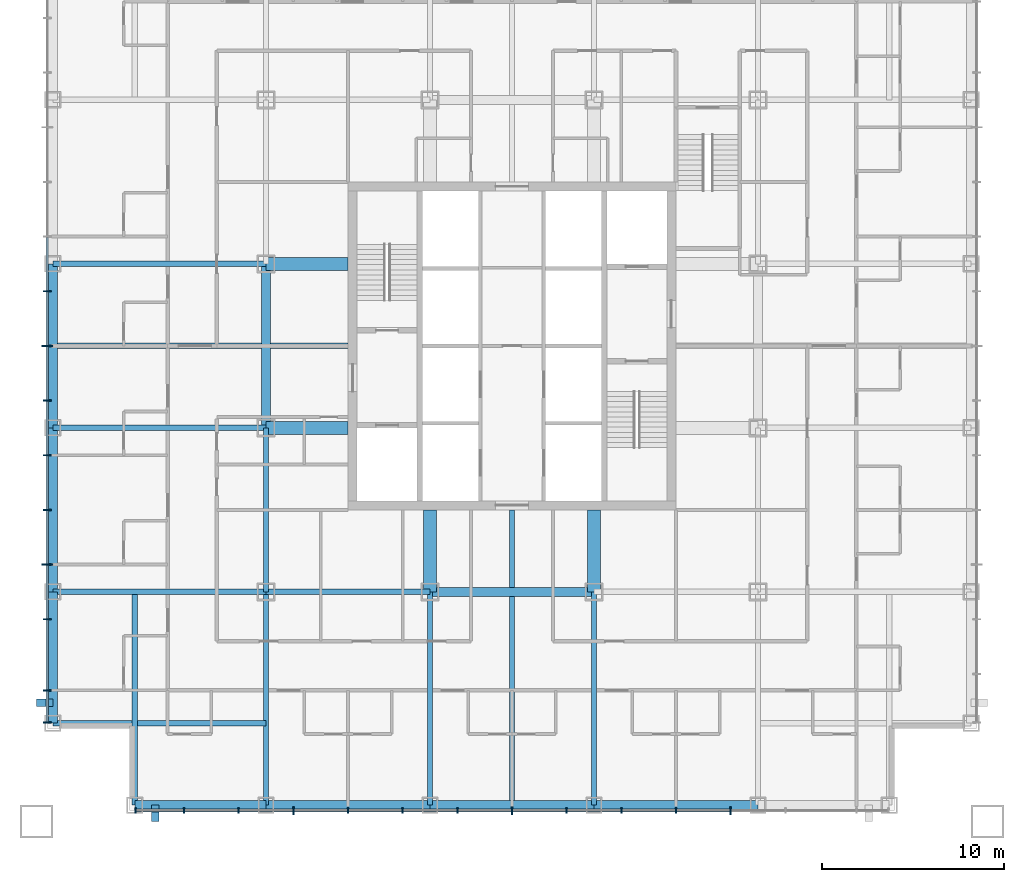
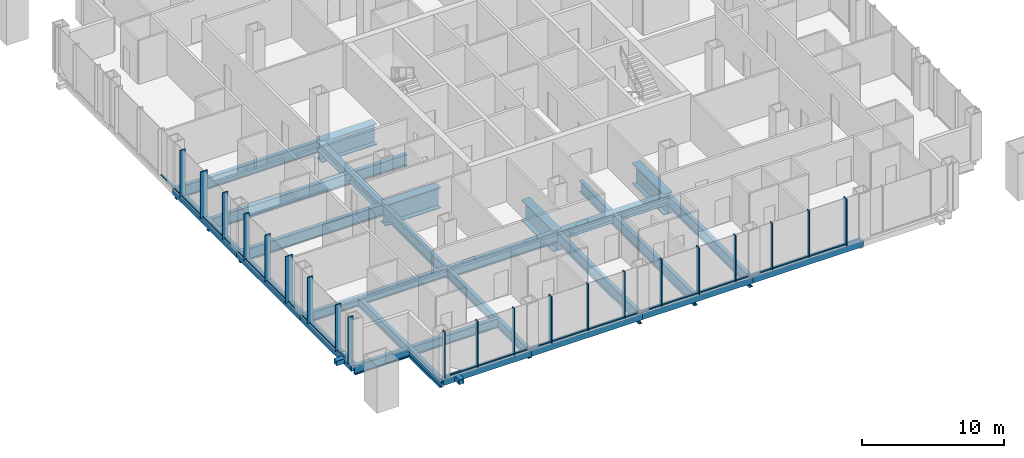
# One storey, part 2 of 12: 43 members, 25 beams, 2 elements without a shape of their own.
"""IFC4 building model written with IfcOpenShell, lengths in metres."""

from ifc_helpers import new_model, si_unit, direction, frame, origin, origin_2d, place, context, subcontext, project, spatial, rectangle, hollow_rectangle, i_section, extrude, material, layer, layer_set, material_profile, profile_set, type_object, element, aggregate, save


model = new_model("IFC4")

# Units and contexts
model_context = context("Model", 3, precision=1e-05, world=origin(), true_north=direction((0.0, 1.0)))
body_context = subcontext(model_context, "Body", "Model", "MODEL_VIEW")
ifc_project = project(units=[si_unit("LENGTHUNIT", "METRE"), si_unit("AREAUNIT", "SQUARE_METRE"), si_unit("VOLUMEUNIT", "CUBIC_METRE"), si_unit("PLANEANGLEUNIT", "RADIAN"), si_unit("MASSUNIT", "GRAM", prefix="KILO")], contexts=[model_context])

# Site, building, storey
site_placement = place(None, origin())
site = spatial("IfcSite", under=ifc_project, at=site_placement, CompositionType="ELEMENT")
building_placement = place(site_placement, origin())
building = spatial("IfcBuilding", under=site, at=building_placement, Name="Malebo Sky Hospital", CompositionType="ELEMENT")
storey_placement = place(building_placement, frame((0.0, 0.0, 59.0)))
storey = spatial("IfcBuildingStorey", under=building, at=storey_placement, Name="L13", CompositionType="ELEMENT", Elevation=59.0)

# Curtain wall, members
ifc_material_1 = material(Name="Anodised aluminium, natural silver", Category="aluminium")
ifc_layer_1 = layer(ifc_material_1, 0.25)
ifc_layer_set_1 = layer_set([ifc_layer_1], Name="WARD CURTAIN WALL EAST AND WEST")
curtain_wall_type_1 = type_object("IfcCurtainWallType", Name="WARD CURTAIN WALL EAST AND WEST", PredefinedType="NOTDEFINED", material=ifc_layer_set_1)
curtain_wall_1_placement = place(storey_placement, origin())
curtain_wall_1 = element("IfcCurtainWall", 1, at=curtain_wall_1_placement, inside=storey, type_object=curtain_wall_type_1, Name="EW curtain wall W", PredefinedType="NOTDEFINED")
ifc_material_profile_1 = material_profile(ifc_material_1, rectangle(XDim=0.14990234375, YDim=0.10009765625, at=origin_2d()), Name="ALUMINIUM TRANSOM 150x100")
ifc_profile_set_1 = profile_set([ifc_material_profile_1], Name="Anodised aluminium, natural silver")
member_type_1 = type_object("IfcMemberType", Name="ALUMINIUM TRANSOM 150x100", PredefinedType="USERDEFINED", material=ifc_profile_set_1)
member_1_placement = place(storey_placement, frame((34.5, 41.375, 0.050048828125), z_axis=(0.0, 1.0, 0.0), x_axis=(-1.0, 0.0, 0.0)))
member_1 = element("IfcMember", 2, at=member_1_placement, type_object=member_type_1, Name="Transom 1", ObjectType="TRANSOM", PredefinedType="USERDEFINED", context=body_context, shape_type="SweptSolid", body=[
    extrude(rectangle(XDim=0.14990234375, YDim=0.10009765625, at=origin_2d()), origin(), (0.0, 0.0, 1.0), 1.6875),
])
member_2_placement = place(storey_placement, frame((34.5, 43.137451171875, 0.050048828125), z_axis=(0.0, 1.0, 0.0), x_axis=(-1.0, 0.0, 0.0)))
member_2 = element("IfcMember", 3, at=member_2_placement, type_object=member_type_1, Name="Transom 2", ObjectType="TRANSOM", PredefinedType="USERDEFINED", context=body_context, shape_type="SweptSolid", body=[
    extrude(rectangle(XDim=0.14990234375, YDim=0.10009765625, at=origin_2d()), origin(), (0.0, 0.0, 1.0), 3.824951171875),
])
member_3_placement = place(storey_placement, frame((34.5, 47.03759765625, 0.050048828125), z_axis=(0.0, 1.0, 0.0), x_axis=(-1.0, 0.0, 0.0)))
member_3 = element("IfcMember", 4, at=member_3_placement, type_object=member_type_1, Name="Transom 3", ObjectType="TRANSOM", PredefinedType="USERDEFINED", context=body_context, shape_type="SweptSolid", body=[
    extrude(rectangle(XDim=0.14990234375, YDim=0.10009765625, at=origin_2d()), origin(), (0.0, 0.0, 1.0), 2.9248046875),
])
member_4_placement = place(storey_placement, frame((34.5, 50.03759765625, 0.050048828125), z_axis=(0.0, 1.0, 0.0), x_axis=(-1.0, 0.0, 0.0)))
member_4 = element("IfcMember", 5, at=member_4_placement, type_object=member_type_1, Name="Transom 4", ObjectType="TRANSOM", PredefinedType="USERDEFINED", context=body_context, shape_type="SweptSolid", body=[
    extrude(rectangle(XDim=0.14990234375, YDim=0.10009765625, at=origin_2d()), origin(), (0.0, 0.0, 1.0), 2.9248046875),
])
member_5_placement = place(storey_placement, frame((34.5, 53.03759765625, 0.050048828125), z_axis=(0.0, 1.0, 0.0), x_axis=(-1.0, 0.0, 0.0)))
member_5 = element("IfcMember", 6, at=member_5_placement, type_object=member_type_1, Name="Transom 5", ObjectType="TRANSOM", PredefinedType="USERDEFINED", context=body_context, shape_type="SweptSolid", body=[
    extrude(rectangle(XDim=0.14990234375, YDim=0.10009765625, at=origin_2d()), origin(), (0.0, 0.0, 1.0), 2.9248046875),
])
member_6_placement = place(storey_placement, frame((34.5, 56.03759765625, 0.050048828125), z_axis=(0.0, 1.0, 0.0), x_axis=(-1.0, 0.0, 0.0)))
member_6 = element("IfcMember", 7, at=member_6_placement, type_object=member_type_1, Name="Transom 6", ObjectType="TRANSOM", PredefinedType="USERDEFINED", context=body_context, shape_type="SweptSolid", body=[
    extrude(rectangle(XDim=0.14990234375, YDim=0.10009765625, at=origin_2d()), origin(), (0.0, 0.0, 1.0), 2.9248046875),
])
member_7_placement = place(storey_placement, frame((34.5, 59.03759765625, 0.050048828125), z_axis=(0.0, 1.0, 0.0), x_axis=(-1.0, 0.0, 0.0)))
member_7 = element("IfcMember", 8, at=member_7_placement, type_object=member_type_1, Name="Transom 7", ObjectType="TRANSOM", PredefinedType="USERDEFINED", context=body_context, shape_type="SweptSolid", body=[
    extrude(rectangle(XDim=0.14990234375, YDim=0.10009765625, at=origin_2d()), origin(), (0.0, 0.0, 1.0), 2.9248046875),
])
member_8_placement = place(storey_placement, frame((34.5, 62.03759765625, 0.050048828125), z_axis=(0.0, 1.0, 0.0), x_axis=(-1.0, 0.0, 0.0)))
member_8 = element("IfcMember", 9, at=member_8_placement, type_object=member_type_1, Name="Transom 8", ObjectType="TRANSOM", PredefinedType="USERDEFINED", context=body_context, shape_type="SweptSolid", body=[
    extrude(rectangle(XDim=0.14990234375, YDim=0.10009765625, at=origin_2d()), origin(), (0.0, 0.0, 1.0), 2.9248046875),
])
member_9_placement = place(storey_placement, frame((34.5, 65.03759765625, 0.050048828125), z_axis=(0.0, 1.0, 0.0), x_axis=(-1.0, 0.0, 0.0)))
member_9 = element("IfcMember", 10, at=member_9_placement, type_object=member_type_1, Name="Transom 9", ObjectType="TRANSOM", PredefinedType="USERDEFINED", context=body_context, shape_type="SweptSolid", body=[
    extrude(rectangle(XDim=0.14990234375, YDim=0.10009765625, at=origin_2d()), origin(), (0.0, 0.0, 1.0), 2.9248046875),
])

ifc_layer_2 = layer(ifc_material_1, 0.25)
ifc_layer_set_2 = layer_set([ifc_layer_2], Name="WARD CURTAIN WALL NORTH AND SOUTH")
curtain_wall_type_2 = type_object("IfcCurtainWallType", Name="WARD CURTAIN WALL NORTH AND SOUTH", PredefinedType="NOTDEFINED", material=ifc_layer_set_2)
curtain_wall_2_placement = place(storey_placement, origin())
curtain_wall_2 = element("IfcCurtainWall", 11, at=curtain_wall_2_placement, inside=storey, type_object=curtain_wall_type_2, Name="NS curtain wall S", PredefinedType="NOTDEFINED")
member_10_placement = place(storey_placement, frame((71.96240234375, 36.5, 0.050048828125), z_axis=(-1.0, 0.0, 0.0), x_axis=(0.0, -1.0, 0.0)))
member_10 = element("IfcMember", 12, at=member_10_placement, type_object=member_type_1, Name="Transom 4", ObjectType="TRANSOM", PredefinedType="USERDEFINED", context=body_context, shape_type="SweptSolid", body=[
    extrude(rectangle(XDim=0.14990234375, YDim=0.10009765625, at=origin_2d()), origin(), (0.0, 0.0, 1.0), 2.9248046875),
])
member_11_placement = place(storey_placement, frame((68.96240234375, 36.5, 0.050048828125), z_axis=(-1.0, 0.0, 0.0), x_axis=(0.0, -1.0, 0.0)))
member_11 = element("IfcMember", 13, at=member_11_placement, type_object=member_type_1, Name="Transom 5", ObjectType="TRANSOM", PredefinedType="USERDEFINED", context=body_context, shape_type="SweptSolid", body=[
    extrude(rectangle(XDim=0.14990234375, YDim=0.10009765625, at=origin_2d()), origin(), (0.0, 0.0, 1.0), 2.9248046875),
])
member_12_placement = place(storey_placement, frame((65.96240234375, 36.5, 0.050048828125), z_axis=(-1.0, 0.0, 0.0), x_axis=(0.0, -1.0, 0.0)))
member_12 = element("IfcMember", 14, at=member_12_placement, type_object=member_type_1, Name="Transom 6", ObjectType="TRANSOM", PredefinedType="USERDEFINED", context=body_context, shape_type="SweptSolid", body=[
    extrude(rectangle(XDim=0.14990234375, YDim=0.10009765625, at=origin_2d()), origin(), (0.0, 0.0, 1.0), 2.9248046875),
])
member_13_placement = place(storey_placement, frame((62.96240234375, 36.5, 0.050048828125), z_axis=(-1.0, 0.0, 0.0), x_axis=(0.0, -1.0, 0.0)))
member_13 = element("IfcMember", 15, at=member_13_placement, type_object=member_type_1, Name="Transom 7", ObjectType="TRANSOM", PredefinedType="USERDEFINED", context=body_context, shape_type="SweptSolid", body=[
    extrude(rectangle(XDim=0.14990234375, YDim=0.10009765625, at=origin_2d()), origin(), (0.0, 0.0, 1.0), 2.9248046875),
])
member_14_placement = place(storey_placement, frame((59.96240234375, 36.5, 0.050048828125), z_axis=(-1.0, 0.0, 0.0), x_axis=(0.0, -1.0, 0.0)))
member_14 = element("IfcMember", 16, at=member_14_placement, type_object=member_type_1, Name="Transom 8", ObjectType="TRANSOM", PredefinedType="USERDEFINED", context=body_context, shape_type="SweptSolid", body=[
    extrude(rectangle(XDim=0.14990234375, YDim=0.10009765625, at=origin_2d()), origin(), (0.0, 0.0, 1.0), 2.9248046875),
])
member_15_placement = place(storey_placement, frame((56.96240234375, 36.5, 0.050048828125), z_axis=(-1.0, 0.0, 0.0), x_axis=(0.0, -1.0, 0.0)))
member_15 = element("IfcMember", 17, at=member_15_placement, type_object=member_type_1, Name="Transom 9", ObjectType="TRANSOM", PredefinedType="USERDEFINED", context=body_context, shape_type="SweptSolid", body=[
    extrude(rectangle(XDim=0.14990234375, YDim=0.10009765625, at=origin_2d()), origin(), (0.0, 0.0, 1.0), 2.9248046875),
])
member_16_placement = place(storey_placement, frame((53.96240234375, 36.5, 0.050048828125), z_axis=(-1.0, 0.0, 0.0), x_axis=(0.0, -1.0, 0.0)))
member_16 = element("IfcMember", 18, at=member_16_placement, type_object=member_type_1, Name="Transom 10", ObjectType="TRANSOM", PredefinedType="USERDEFINED", context=body_context, shape_type="SweptSolid", body=[
    extrude(rectangle(XDim=0.14990234375, YDim=0.10009765625, at=origin_2d()), origin(), (0.0, 0.0, 1.0), 2.9248046875),
])
member_17_placement = place(storey_placement, frame((50.96240234375, 36.5, 0.050048828125), z_axis=(-1.0, 0.0, 0.0), x_axis=(0.0, -1.0, 0.0)))
member_17 = element("IfcMember", 19, at=member_17_placement, type_object=member_type_1, Name="Transom 11", ObjectType="TRANSOM", PredefinedType="USERDEFINED", context=body_context, shape_type="SweptSolid", body=[
    extrude(rectangle(XDim=0.14990234375, YDim=0.10009765625, at=origin_2d()), origin(), (0.0, 0.0, 1.0), 2.9248046875),
])
member_18_placement = place(storey_placement, frame((47.96240234375, 36.5, 0.050048828125), z_axis=(-1.0, 0.0, 0.0), x_axis=(0.0, -1.0, 0.0)))
member_18 = element("IfcMember", 20, at=member_18_placement, type_object=member_type_1, Name="Transom 12", ObjectType="TRANSOM", PredefinedType="USERDEFINED", context=body_context, shape_type="SweptSolid", body=[
    extrude(rectangle(XDim=0.14990234375, YDim=0.10009765625, at=origin_2d()), origin(), (0.0, 0.0, 1.0), 2.9248046875),
])
member_19_placement = place(storey_placement, frame((44.96240234375, 36.5, 0.050048828125), z_axis=(-1.0, 0.0, 0.0), x_axis=(0.0, -1.0, 0.0)))
member_19 = element("IfcMember", 21, at=member_19_placement, type_object=member_type_1, Name="Transom 13", ObjectType="TRANSOM", PredefinedType="USERDEFINED", context=body_context, shape_type="SweptSolid", body=[
    extrude(rectangle(XDim=0.14990234375, YDim=0.10009765625, at=origin_2d()), origin(), (0.0, 0.0, 1.0), 2.9248046875),
])
member_20_placement = place(storey_placement, frame((41.96240234375, 36.5, 0.050048828125), z_axis=(-1.0, 0.0, 0.0), x_axis=(0.0, -1.0, 0.0)))
member_20 = element("IfcMember", 22, at=member_20_placement, type_object=member_type_1, Name="Transom 14", ObjectType="TRANSOM", PredefinedType="USERDEFINED", context=body_context, shape_type="SweptSolid", body=[
    extrude(rectangle(XDim=0.14990234375, YDim=0.10009765625, at=origin_2d()), origin(), (0.0, 0.0, 1.0), 2.58740234375),
])

# Members
ifc_material_2 = material(Name="Steel S355", Category="steel")
ifc_material_profile_2 = material_profile(ifc_material_2, hollow_rectangle(XDim=0.39990234375, YDim=0.39990234375, WallThickness=0.02001953125, at=origin_2d()), Name="SHS 400x20")
ifc_profile_set_2 = profile_set([ifc_material_profile_2], Name="Steel S355")
member_type_2 = type_object("IfcMemberType", Name="BRACE STRUT SHS 400x20", PredefinedType="STRUT", material=ifc_profile_set_2)
for number, where, z_axis, x_axis, name in (
    (23, (40.425048828125, 35.89990234375, -0.39990234375), (0.0, 1.0, 0.0), (-1.0, 0.0, 0.0), "Brace strut AS2 L13"),
    (24, (33.89990234375, 42.425048828125, -0.39990234375), (1.0, 0.0, 0.0), (0.0, 1.0, 0.0), "Brace strut AW1 L13"),
):
    element("IfcMember", number, at=place(storey_placement, frame(where, z_axis=z_axis, x_axis=x_axis)), inside=storey, type_object=member_type_2, Name=name, PredefinedType="STRUT", context=body_context, shape_type="SweptSolid", body=[
        extrude(hollow_rectangle(XDim=0.39990234375, YDim=0.39990234375, WallThickness=0.02001953125, at=origin_2d()), origin(), (0.0, 0.0, 1.0), 0.900146484375),
    ])

# Member
ifc_material_profile_3 = material_profile(ifc_material_1, rectangle(XDim=0.074951171875, YDim=0.300048828125, at=origin_2d()), Name="CW1 ALUMINIUM FIN MULLION 75x300")
ifc_profile_set_3 = profile_set([ifc_material_profile_3], Name="Anodised aluminium, natural silver")
member_type_3 = type_object("IfcMemberType", Name="CW1 ALUMINIUM FIN MULLION 75x300", PredefinedType="MULLION", material=ifc_profile_set_3)
member_21_placement = place(storey_placement, frame((69.0, 36.5, 0.0), z_axis=(0.0, 0.0, 1.0), x_axis=(-1.0, 0.0, 0.0)))
member_21 = element("IfcMember", 25, at=member_21_placement, type_object=member_type_3, Name="Fin mullion 5", PredefinedType="MULLION", context=body_context, shape_type="SweptSolid", body=[
    extrude(rectangle(XDim=0.074951171875, YDim=0.300048828125, at=origin_2d()), origin(), (0.0, 0.0, 1.0), 4.0),
])

member_22_placement = place(storey_placement, frame((66.0, 36.5, 0.0), z_axis=(0.0, 0.0, 1.0), x_axis=(-1.0, 0.0, 0.0)))
member_22 = element("IfcMember", 26, at=member_22_placement, type_object=member_type_3, Name="Fin mullion 6", PredefinedType="MULLION", context=body_context, shape_type="SweptSolid", body=[
    extrude(rectangle(XDim=0.074951171875, YDim=0.300048828125, at=origin_2d()), origin(), (0.0, 0.0, 1.0), 4.0),
])

member_23_placement = place(storey_placement, frame((63.0, 36.5, 0.0), z_axis=(0.0, 0.0, 1.0), x_axis=(-1.0, 0.0, 0.0)))
member_23 = element("IfcMember", 27, at=member_23_placement, type_object=member_type_3, Name="Fin mullion 7", PredefinedType="MULLION", context=body_context, shape_type="SweptSolid", body=[
    extrude(rectangle(XDim=0.074951171875, YDim=0.300048828125, at=origin_2d()), origin(), (0.0, 0.0, 1.0), 4.0),
])

member_24_placement = place(storey_placement, frame((57.0, 36.5, 0.0), z_axis=(0.0, 0.0, 1.0), x_axis=(-1.0, 0.0, 0.0)))
member_24 = element("IfcMember", 28, at=member_24_placement, type_object=member_type_3, Name="Fin mullion 9", PredefinedType="MULLION", context=body_context, shape_type="SweptSolid", body=[
    extrude(rectangle(XDim=0.074951171875, YDim=0.300048828125, at=origin_2d()), origin(), (0.0, 0.0, 1.0), 4.0),
])

member_25_placement = place(storey_placement, frame((54.0, 36.5, 0.0), z_axis=(0.0, 0.0, 1.0), x_axis=(-1.0, 0.0, 0.0)))
member_25 = element("IfcMember", 29, at=member_25_placement, type_object=member_type_3, Name="Fin mullion 10", PredefinedType="MULLION", context=body_context, shape_type="SweptSolid", body=[
    extrude(rectangle(XDim=0.074951171875, YDim=0.300048828125, at=origin_2d()), origin(), (0.0, 0.0, 1.0), 4.0),
])

member_26_placement = place(storey_placement, frame((51.0, 36.5, 0.0), z_axis=(0.0, 0.0, 1.0), x_axis=(-1.0, 0.0, 0.0)))
member_26 = element("IfcMember", 30, at=member_26_placement, type_object=member_type_3, Name="Fin mullion 11", PredefinedType="MULLION", context=body_context, shape_type="SweptSolid", body=[
    extrude(rectangle(XDim=0.074951171875, YDim=0.300048828125, at=origin_2d()), origin(), (0.0, 0.0, 1.0), 4.0),
])

member_27_placement = place(storey_placement, frame((45.0, 36.5, 0.0), z_axis=(0.0, 0.0, 1.0), x_axis=(-1.0, 0.0, 0.0)))
member_27 = element("IfcMember", 31, at=member_27_placement, type_object=member_type_3, Name="Fin mullion 13", PredefinedType="MULLION", context=body_context, shape_type="SweptSolid", body=[
    extrude(rectangle(XDim=0.074951171875, YDim=0.300048828125, at=origin_2d()), origin(), (0.0, 0.0, 1.0), 4.0),
])

member_28_placement = place(storey_placement, frame((42.0, 36.5, 0.0), z_axis=(0.0, 0.0, 1.0), x_axis=(-1.0, 0.0, 0.0)))
member_28 = element("IfcMember", 32, at=member_28_placement, type_object=member_type_3, Name="Fin mullion 14", PredefinedType="MULLION", context=body_context, shape_type="SweptSolid", body=[
    extrude(rectangle(XDim=0.074951171875, YDim=0.300048828125, at=origin_2d()), origin(), (0.0, 0.0, 1.0), 4.0),
])

member_29_placement = place(storey_placement, frame((39.33740234375, 36.5, 0.0), z_axis=(0.0, 0.0, 1.0), x_axis=(-1.0, 0.0, 0.0)))
member_29 = element("IfcMember", 33, at=member_29_placement, type_object=member_type_3, Name="Fin mullion 15", PredefinedType="MULLION", context=body_context, shape_type="SweptSolid", body=[
    extrude(rectangle(XDim=0.074951171875, YDim=0.300048828125, at=origin_2d()), origin(), (0.0, 0.0, 1.0), 4.0),
])

ifc_material_profile_4 = material_profile(ifc_material_1, rectangle(XDim=0.074951171875, YDim=0.449951171875, at=origin_2d()), Name="CW1 ALUMINIUM FIN MULLION 75x450")
ifc_profile_set_4 = profile_set([ifc_material_profile_4], Name="Anodised aluminium, natural silver")
member_type_4 = type_object("IfcMemberType", Name="CW1 ALUMINIUM FIN MULLION 75x450", PredefinedType="MULLION", material=ifc_profile_set_4)
member_30_placement = place(storey_placement, frame((72.0, 36.5, 0.0), z_axis=(0.0, 0.0, 1.0), x_axis=(-1.0, 0.0, 0.0)))
member_30 = element("IfcMember", 34, at=member_30_placement, type_object=member_type_4, Name="Fin mullion 4", PredefinedType="MULLION", context=body_context, shape_type="SweptSolid", body=[
    extrude(rectangle(XDim=0.074951171875, YDim=0.449951171875, at=origin_2d()), origin(), (0.0, 0.0, 1.0), 4.0),
])

member_31_placement = place(storey_placement, frame((60.0, 36.5, 0.0), z_axis=(0.0, 0.0, 1.0), x_axis=(-1.0, 0.0, 0.0)))
member_31 = element("IfcMember", 35, at=member_31_placement, type_object=member_type_4, Name="Fin mullion 8", PredefinedType="MULLION", context=body_context, shape_type="SweptSolid", body=[
    extrude(rectangle(XDim=0.074951171875, YDim=0.449951171875, at=origin_2d()), origin(), (0.0, 0.0, 1.0), 4.0),
])

member_32_placement = place(storey_placement, frame((48.0, 36.5, 0.0), z_axis=(0.0, 0.0, 1.0), x_axis=(-1.0, 0.0, 0.0)))
member_32 = element("IfcMember", 36, at=member_32_placement, type_object=member_type_4, Name="Fin mullion 12", PredefinedType="MULLION", context=body_context, shape_type="SweptSolid", body=[
    extrude(rectangle(XDim=0.074951171875, YDim=0.449951171875, at=origin_2d()), origin(), (0.0, 0.0, 1.0), 4.0),
])

aggregate(curtain_wall_2, [member_30, member_21, member_22, member_23, member_31, member_24, member_25, member_26, member_32, member_27, member_28, member_29, member_10, member_11, member_12, member_13, member_14, member_15, member_16, member_17, member_18, member_19, member_20])

ifc_material_profile_5 = material_profile(ifc_material_1, rectangle(XDim=0.074951171875, YDim=0.449951171875, at=origin_2d()), Name="CW2 ALUMINIUM FIN MULLION 75x450")
ifc_profile_set_5 = profile_set([ifc_material_profile_5], Name="Anodised aluminium, natural silver")
member_type_5 = type_object("IfcMemberType", Name="CW2 ALUMINIUM FIN MULLION 75x450", PredefinedType="MULLION", material=ifc_profile_set_5)
member_33_placement = place(storey_placement, frame((34.5, 41.33740234375, 0.0), z_axis=(0.0, 0.0, 1.0), x_axis=(0.0, 1.0, 0.0)))
member_33 = element("IfcMember", 37, at=member_33_placement, type_object=member_type_5, Name="Fin mullion 1", PredefinedType="MULLION", context=body_context, shape_type="SweptSolid", body=[
    extrude(rectangle(XDim=0.074951171875, YDim=0.449951171875, at=origin_2d()), origin(), (0.0, 0.0, 1.0), 4.0),
])

member_34_placement = place(storey_placement, frame((34.5, 43.10009765625, 0.0), z_axis=(0.0, 0.0, 1.0), x_axis=(0.0, 1.0, 0.0)))
member_34 = element("IfcMember", 38, at=member_34_placement, type_object=member_type_5, Name="Fin mullion 2", PredefinedType="MULLION", context=body_context, shape_type="SweptSolid", body=[
    extrude(rectangle(XDim=0.074951171875, YDim=0.449951171875, at=origin_2d()), origin(), (0.0, 0.0, 1.0), 4.0),
])

member_35_placement = place(storey_placement, frame((34.5, 47.0, 0.0), z_axis=(0.0, 0.0, 1.0), x_axis=(0.0, 1.0, 0.0)))
member_35 = element("IfcMember", 39, at=member_35_placement, type_object=member_type_5, Name="Fin mullion 3", PredefinedType="MULLION", context=body_context, shape_type="SweptSolid", body=[
    extrude(rectangle(XDim=0.074951171875, YDim=0.449951171875, at=origin_2d()), origin(), (0.0, 0.0, 1.0), 4.0),
])

member_36_placement = place(storey_placement, frame((34.5, 53.0, 0.0), z_axis=(0.0, 0.0, 1.0), x_axis=(0.0, 1.0, 0.0)))
member_36 = element("IfcMember", 40, at=member_36_placement, type_object=member_type_5, Name="Fin mullion 5", PredefinedType="MULLION", context=body_context, shape_type="SweptSolid", body=[
    extrude(rectangle(XDim=0.074951171875, YDim=0.449951171875, at=origin_2d()), origin(), (0.0, 0.0, 1.0), 4.0),
])

member_37_placement = place(storey_placement, frame((34.5, 56.0, 0.0), z_axis=(0.0, 0.0, 1.0), x_axis=(0.0, 1.0, 0.0)))
member_37 = element("IfcMember", 41, at=member_37_placement, type_object=member_type_5, Name="Fin mullion 6", PredefinedType="MULLION", context=body_context, shape_type="SweptSolid", body=[
    extrude(rectangle(XDim=0.074951171875, YDim=0.449951171875, at=origin_2d()), origin(), (0.0, 0.0, 1.0), 4.0),
])

member_38_placement = place(storey_placement, frame((34.5, 59.0, 0.0), z_axis=(0.0, 0.0, 1.0), x_axis=(0.0, 1.0, 0.0)))
member_38 = element("IfcMember", 42, at=member_38_placement, type_object=member_type_5, Name="Fin mullion 7", PredefinedType="MULLION", context=body_context, shape_type="SweptSolid", body=[
    extrude(rectangle(XDim=0.074951171875, YDim=0.449951171875, at=origin_2d()), origin(), (0.0, 0.0, 1.0), 4.0),
])

member_39_placement = place(storey_placement, frame((34.5, 65.0, 0.0), z_axis=(0.0, 0.0, 1.0), x_axis=(0.0, 1.0, 0.0)))
member_39 = element("IfcMember", 43, at=member_39_placement, type_object=member_type_5, Name="Fin mullion 9", PredefinedType="MULLION", context=body_context, shape_type="SweptSolid", body=[
    extrude(rectangle(XDim=0.074951171875, YDim=0.449951171875, at=origin_2d()), origin(), (0.0, 0.0, 1.0), 4.0),
])

ifc_material_profile_6 = material_profile(ifc_material_1, rectangle(XDim=0.074951171875, YDim=0.60009765625, at=origin_2d()), Name="CW2 ALUMINIUM FIN MULLION 75x600")
ifc_profile_set_6 = profile_set([ifc_material_profile_6], Name="Anodised aluminium, natural silver")
member_type_6 = type_object("IfcMemberType", Name="CW2 ALUMINIUM FIN MULLION 75x600", PredefinedType="MULLION", material=ifc_profile_set_6)
member_40_placement = place(storey_placement, frame((34.5, 50.0, 0.0), z_axis=(0.0, 0.0, 1.0), x_axis=(0.0, 1.0, 0.0)))
member_40 = element("IfcMember", 44, at=member_40_placement, type_object=member_type_6, Name="Fin mullion 4", PredefinedType="MULLION", context=body_context, shape_type="SweptSolid", body=[
    extrude(rectangle(XDim=0.074951171875, YDim=0.60009765625, at=origin_2d()), origin(), (0.0, 0.0, 1.0), 4.0),
])

member_41_placement = place(storey_placement, frame((34.5, 62.0, 0.0), z_axis=(0.0, 0.0, 1.0), x_axis=(0.0, 1.0, 0.0)))
member_41 = element("IfcMember", 45, at=member_41_placement, type_object=member_type_6, Name="Fin mullion 8", PredefinedType="MULLION", context=body_context, shape_type="SweptSolid", body=[
    extrude(rectangle(XDim=0.074951171875, YDim=0.60009765625, at=origin_2d()), origin(), (0.0, 0.0, 1.0), 4.0),
])

aggregate(curtain_wall_1, [member_33, member_34, member_35, member_40, member_36, member_37, member_38, member_41, member_39, member_1, member_2, member_3, member_4, member_5, member_6, member_7, member_8, member_9])

# Beams
ifc_material_3 = material(Name="Steel S460", Category="steel")
ifc_material_profile_7 = material_profile(ifc_material_3, hollow_rectangle(XDim=0.5, YDim=0.5, WallThickness=0.030029296875, at=origin_2d()), Name="BOX 500x500x30")
ifc_profile_set_7 = profile_set([ifc_material_profile_7], Name="Steel S460")
beam_type_1 = type_object("IfcBeamType", Name="EDGE BEAM BOX 500x500x30", PredefinedType="BEAM", material=ifc_profile_set_7)
beam_1_placement = place(storey_placement, frame((34.800048828125, 41.300048828125, -0.5), z_axis=(0.0, 1.0, 0.0), x_axis=(-1.0, 0.0, 0.0)))
element("IfcBeam", 46, at=beam_1_placement, inside=storey, type_object=beam_type_1, Name="Beam 000 L13", PredefinedType="BEAM", context=body_context, shape_type="SweptSolid", body=[
    extrude(hollow_rectangle(XDim=0.5, YDim=0.5, WallThickness=0.030029296875, at=origin_2d()), origin(), (0.0, 0.0, 1.0), 7.199951171875),
])
for number, where, z_axis, x_axis, name in (
    (47, (34.800048828125, 48.5, -0.5), (0.0, 1.0, 0.0), (-1.0, 0.0, 0.0), "Beam 001 L13"),
    (48, (34.800048828125, 57.5, -0.5), (0.0, 1.0, 0.0), (-1.0, 0.0, 0.0), "Beam 002 L13"),
):
    element("IfcBeam", number, at=place(storey_placement, frame(where, z_axis=z_axis, x_axis=x_axis)), inside=storey, type_object=beam_type_1, Name=name, PredefinedType="BEAM", context=body_context, shape_type="SweptSolid", body=[
        extrude(hollow_rectangle(XDim=0.5, YDim=0.5, WallThickness=0.030029296875, at=origin_2d()), origin(), (0.0, 0.0, 1.0), 9.0),
    ])
beam_2_placement = place(storey_placement, frame((39.300048828125, 36.800048828125, -0.5), z_axis=(1.0, 0.0, 0.0), x_axis=(0.0, 1.0, 0.0)))
element("IfcBeam", 49, at=beam_2_placement, inside=storey, type_object=beam_type_1, Name="Beam 034 L13", PredefinedType="BEAM", context=body_context, shape_type="SweptSolid", body=[
    extrude(hollow_rectangle(XDim=0.5, YDim=0.5, WallThickness=0.030029296875, at=origin_2d()), origin(), (0.0, 0.0, 1.0), 7.199951171875),
])
for number, where, z_axis, x_axis, name in (
    (50, (46.5, 36.800048828125, -0.5), (1.0, 0.0, 0.0), (0.0, 1.0, 0.0), "Beam 035 L13"),
    (51, (55.5, 36.800048828125, -0.5), (1.0, 0.0, 0.0), (0.0, 1.0, 0.0), "Beam 036 L13"),
    (52, (64.5, 36.800048828125, -0.5), (1.0, 0.0, 0.0), (0.0, 1.0, 0.0), "Beam 037 L13"),
):
    element("IfcBeam", number, at=place(storey_placement, frame(where, z_axis=z_axis, x_axis=x_axis)), inside=storey, type_object=beam_type_1, Name=name, PredefinedType="BEAM", context=body_context, shape_type="SweptSolid", body=[
        extrude(hollow_rectangle(XDim=0.5, YDim=0.5, WallThickness=0.030029296875, at=origin_2d()), origin(), (0.0, 0.0, 1.0), 9.0),
    ])
ifc_material_profile_8 = material_profile(ifc_material_2, i_section(OverallWidth=0.300048828125, OverallDepth=1.0, WebThickness=0.01904296875, FlangeThickness=0.035888671875, FilletRadius=0.030029296875, at=origin_2d()), Name="HEB 1000")
ifc_profile_set_8 = profile_set([ifc_material_profile_8], Name="Steel S355")
beam_type_2 = type_object("IfcBeamType", Name="FLOOR BEAM HEB 1000", PredefinedType="BEAM", material=ifc_profile_set_8)
beam_3_placement = place(storey_placement, frame((46.5, 48.5, -0.75), z_axis=(0.0, 1.0, 0.0), x_axis=(-1.0, 0.0, 0.0)))
element("IfcBeam", 53, at=beam_3_placement, inside=storey, type_object=beam_type_2, Name="Beam 008 L13", PredefinedType="BEAM", context=body_context, shape_type="SweptSolid", body=[
    extrude(i_section(OverallWidth=0.300048828125, OverallDepth=1.0, WebThickness=0.01904296875, FlangeThickness=0.035888671875, FilletRadius=0.030029296875, at=origin_2d()), origin(), (0.0, 0.0, 1.0), 9.0),
])
beam_4_placement = place(storey_placement, frame((55.5, 36.800048828125, -0.75), z_axis=(0.0, 1.0, 0.0), x_axis=(-1.0, 0.0, 0.0)))
element("IfcBeam", 54, at=beam_4_placement, inside=storey, type_object=beam_type_2, Name="Beam 012 L13", PredefinedType="BEAM", context=body_context, shape_type="SweptSolid", body=[
    extrude(i_section(OverallWidth=0.300048828125, OverallDepth=1.0, WebThickness=0.01904296875, FlangeThickness=0.035888671875, FilletRadius=0.030029296875, at=origin_2d()), origin(), (0.0, 0.0, 1.0), 11.699951171875),
])
beam_5_placement = place(storey_placement, frame((60.0, 36.800048828125, -0.75), z_axis=(0.0, 1.0, 0.0), x_axis=(-1.0, 0.0, 0.0)))
element("IfcBeam", 55, at=beam_5_placement, inside=storey, type_object=beam_type_2, Name="Beam 016 L13", PredefinedType="BEAM", context=body_context, shape_type="SweptSolid", body=[
    extrude(i_section(OverallWidth=0.300048828125, OverallDepth=1.0, WebThickness=0.01904296875, FlangeThickness=0.035888671875, FilletRadius=0.030029296875, at=origin_2d()), origin(), (0.0, 0.0, 1.0), 16.199951171875),
])
beam_6_placement = place(storey_placement, frame((64.5, 36.800048828125, -0.75), z_axis=(0.0, 1.0, 0.0), x_axis=(-1.0, 0.0, 0.0)))
element("IfcBeam", 56, at=beam_6_placement, inside=storey, type_object=beam_type_2, Name="Beam 018 L13", PredefinedType="BEAM", context=body_context, shape_type="SweptSolid", body=[
    extrude(i_section(OverallWidth=0.300048828125, OverallDepth=1.0, WebThickness=0.01904296875, FlangeThickness=0.035888671875, FilletRadius=0.030029296875, at=origin_2d()), origin(), (0.0, 0.0, 1.0), 11.699951171875),
])
beam_7_placement = place(storey_placement, frame((46.5, 48.5, -0.75), z_axis=(1.0, 0.0, 0.0), x_axis=(0.0, 1.0, 0.0)))
element("IfcBeam", 57, at=beam_7_placement, inside=storey, type_object=beam_type_2, Name="Beam 042 L13", PredefinedType="BEAM", context=body_context, shape_type="SweptSolid", body=[
    extrude(i_section(OverallWidth=0.300048828125, OverallDepth=1.0, WebThickness=0.01904296875, FlangeThickness=0.035888671875, FilletRadius=0.030029296875, at=origin_2d()), origin(), (0.0, 0.0, 1.0), 9.0),
])
beam_8_placement = place(storey_placement, frame((34.800048828125, 57.5, -0.75), z_axis=(1.0, 0.0, 0.0), x_axis=(0.0, 1.0, 0.0)))
element("IfcBeam", 58, at=beam_8_placement, inside=storey, type_object=beam_type_2, Name="Beam 046 L13", PredefinedType="BEAM", context=body_context, shape_type="SweptSolid", body=[
    extrude(i_section(OverallWidth=0.300048828125, OverallDepth=1.0, WebThickness=0.01904296875, FlangeThickness=0.035888671875, FilletRadius=0.030029296875, at=origin_2d()), origin(), (0.0, 0.0, 1.0), 11.699951171875),
])
beam_9_placement = place(storey_placement, frame((34.800048828125, 62.0, -0.75), z_axis=(1.0, 0.0, 0.0), x_axis=(0.0, 1.0, 0.0)))
element("IfcBeam", 59, at=beam_9_placement, inside=storey, type_object=beam_type_2, Name="Beam 050 L13", PredefinedType="BEAM", context=body_context, shape_type="SweptSolid", body=[
    extrude(i_section(OverallWidth=0.300048828125, OverallDepth=1.0, WebThickness=0.01904296875, FlangeThickness=0.035888671875, FilletRadius=0.030029296875, at=origin_2d()), origin(), (0.0, 0.0, 1.0), 16.199951171875),
])
beam_10_placement = place(storey_placement, frame((34.800048828125, 66.5, -0.75), z_axis=(1.0, 0.0, 0.0), x_axis=(0.0, 1.0, 0.0)))
element("IfcBeam", 60, at=beam_10_placement, inside=storey, type_object=beam_type_2, Name="Beam 052 L13", PredefinedType="BEAM", context=body_context, shape_type="SweptSolid", body=[
    extrude(i_section(OverallWidth=0.300048828125, OverallDepth=1.0, WebThickness=0.01904296875, FlangeThickness=0.035888671875, FilletRadius=0.030029296875, at=origin_2d()), origin(), (0.0, 0.0, 1.0), 11.699951171875),
])
ifc_material_profile_9 = material_profile(ifc_material_2, i_section(OverallWidth=0.300048828125, OverallDepth=0.800048828125, WebThickness=0.017578125, FlangeThickness=0.032958984375, FilletRadius=0.030029296875, at=origin_2d()), Name="HEB 800")
ifc_profile_set_9 = profile_set([ifc_material_profile_9], Name="Steel S355")
beam_type_3 = type_object("IfcBeamType", Name="FLOOR BEAM HEB 800", PredefinedType="BEAM", material=ifc_profile_set_9)
for number, where, z_axis, x_axis, name in (
    (61, (39.300048828125, 36.800048828125, -0.64990234375), (0.0, 1.0, 0.0), (-1.0, 0.0, 0.0), "Beam 005 L13"),
    (62, (34.800048828125, 41.300048828125, -0.64990234375), (1.0, 0.0, 0.0), (0.0, 1.0, 0.0), "Beam 039 L13"),
):
    element("IfcBeam", number, at=place(storey_placement, frame(where, z_axis=z_axis, x_axis=x_axis)), inside=storey, type_object=beam_type_3, Name=name, PredefinedType="BEAM", context=body_context, shape_type="SweptSolid", body=[
        extrude(i_section(OverallWidth=0.300048828125, OverallDepth=0.800048828125, WebThickness=0.017578125, FlangeThickness=0.032958984375, FilletRadius=0.030029296875, at=origin_2d()), origin(), (0.0, 0.0, 1.0), 11.699951171875),
    ])
ifc_material_profile_10 = material_profile(ifc_material_2, i_section(OverallWidth=0.699951171875, OverallDepth=1.800048828125, WebThickness=0.034912109375, FlangeThickness=0.070068359375, at=origin_2d()), Name="PG 1800x700x35x70")
ifc_profile_set_10 = profile_set([ifc_material_profile_10], Name="Steel S355")
beam_type_4 = type_object("IfcBeamType", Name="FLOOR BEAM PG 1800x700x35x70", PredefinedType="BEAM", material=ifc_profile_set_10)
for number, where, z_axis, x_axis, name in (
    (63, (55.5, 48.5, -1.14990234375), (0.0, 1.0, 0.0), (-1.0, 0.0, 0.0), "Beam 013 L13"),
    (64, (64.5, 48.5, -1.14990234375), (0.0, 1.0, 0.0), (-1.0, 0.0, 0.0), "Beam 019 L13"),
    (65, (46.5, 57.5, -1.14990234375), (1.0, 0.0, 0.0), (0.0, 1.0, 0.0), "Beam 047 L13"),
    (66, (46.5, 66.5, -1.14990234375), (1.0, 0.0, 0.0), (0.0, 1.0, 0.0), "Beam 053 L13"),
):
    element("IfcBeam", number, at=place(storey_placement, frame(where, z_axis=z_axis, x_axis=x_axis)), inside=storey, type_object=beam_type_4, Name=name, PredefinedType="BEAM", context=body_context, shape_type="SweptSolid", body=[
        extrude(i_section(OverallWidth=0.699951171875, OverallDepth=1.800048828125, WebThickness=0.034912109375, FlangeThickness=0.070068359375, at=origin_2d()), origin(), (0.0, 0.0, 1.0), 4.5),
    ])
ifc_material_profile_11 = material_profile(ifc_material_2, i_section(OverallWidth=0.300048828125, OverallDepth=0.800048828125, WebThickness=0.017578125, FlangeThickness=0.032958984375, FilletRadius=0.030029296875, at=origin_2d()), Name="HEB 800")
ifc_profile_set_11 = profile_set([ifc_material_profile_11], Name="Steel S355")
beam_type_5 = type_object("IfcBeamType", Name="FLOOR GIRDER HEB 800", PredefinedType="BEAM", material=ifc_profile_set_11)
for number, where, z_axis, x_axis, name in (
    (67, (46.5, 36.800048828125, -0.64990234375), (0.0, 1.0, 0.0), (-1.0, 0.0, 0.0), "Beam 007 L13"),
    (68, (34.800048828125, 48.5, -0.64990234375), (1.0, 0.0, 0.0), (0.0, 1.0, 0.0), "Beam 041 L13"),
):
    element("IfcBeam", number, at=place(storey_placement, frame(where, z_axis=z_axis, x_axis=x_axis)), inside=storey, type_object=beam_type_5, Name=name, PredefinedType="BEAM", context=body_context, shape_type="SweptSolid", body=[
        extrude(i_section(OverallWidth=0.300048828125, OverallDepth=0.800048828125, WebThickness=0.017578125, FlangeThickness=0.032958984375, FilletRadius=0.030029296875, at=origin_2d()), origin(), (0.0, 0.0, 1.0), 11.699951171875),
    ])
ifc_material_profile_12 = material_profile(ifc_material_2, i_section(OverallWidth=0.5, OverallDepth=0.800048828125, WebThickness=0.030029296875, FlangeThickness=0.050048828125, at=origin_2d()), Name="PG 800x500x30x50")
ifc_profile_set_12 = profile_set([ifc_material_profile_12], Name="Steel S355")
beam_type_6 = type_object("IfcBeamType", Name="RING GIRDER PG 800x500x30x50", PredefinedType="BEAM", material=ifc_profile_set_12)
for number, where, z_axis, x_axis, name in (
    (69, (46.5, 57.5, -0.64990234375), (0.0, 1.0, 0.0), (-1.0, 0.0, 0.0), "Beam 009 L13"),
    (70, (55.5, 48.5, -0.64990234375), (1.0, 0.0, 0.0), (0.0, 1.0, 0.0), "Beam 043 L13"),
):
    element("IfcBeam", number, at=place(storey_placement, frame(where, z_axis=z_axis, x_axis=x_axis)), inside=storey, type_object=beam_type_6, Name=name, PredefinedType="BEAM", context=body_context, shape_type="SweptSolid", body=[
        extrude(i_section(OverallWidth=0.5, OverallDepth=0.800048828125, WebThickness=0.030029296875, FlangeThickness=0.050048828125, at=origin_2d()), origin(), (0.0, 0.0, 1.0), 9.0),
    ])

save(model, "model.ifc")
